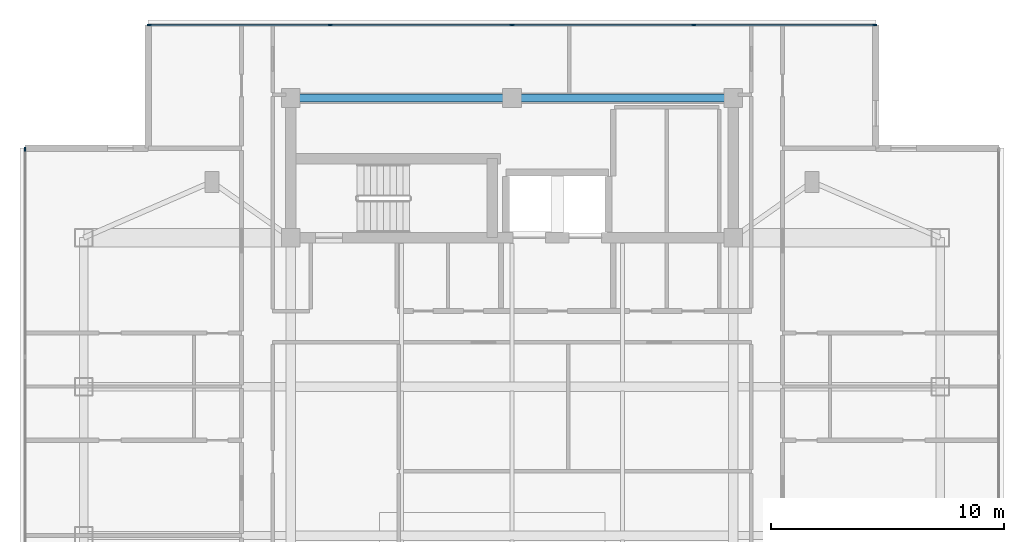
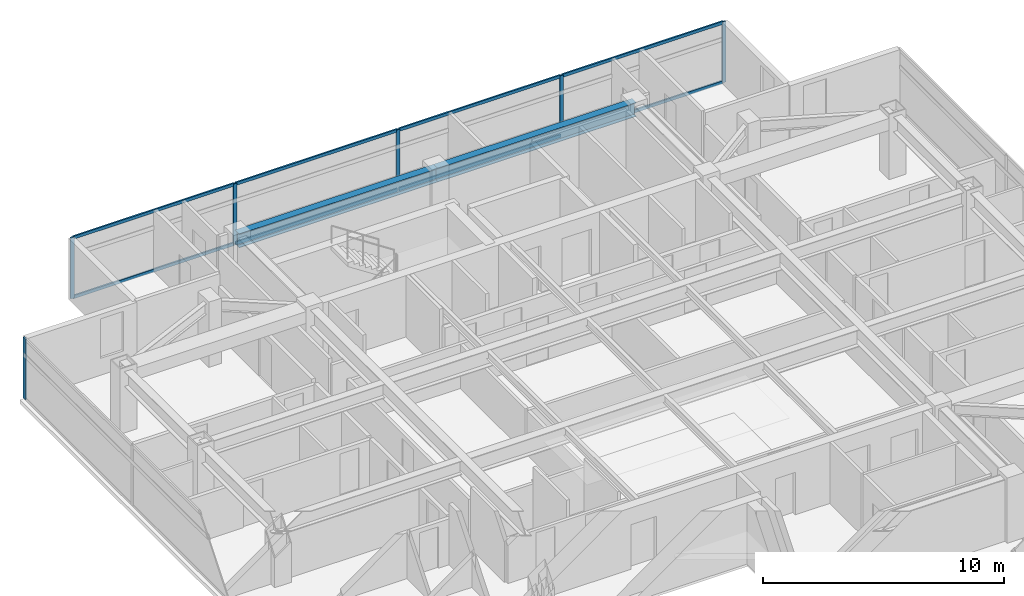
# One storey, part 5 of 15: 14 members, 2 beams, 2 elements without a shape of their own.
"""IFC4 building model written with IfcOpenShell, lengths in metres."""

import ifcopenshell
import ifcopenshell.guid

model = None  # the IFC model being written
_history = None  # IfcOwnerHistory: only IFC2X3 demands one
_inside = {}  # id of a spatial element -> (the spatial element, [elements in it])
_under = {}  # id of a project, library or spatial element -> (it, [spatial elements below it])
_declared = {}  # id of a project -> (the project, [libraries it declares])
_typed = {}  # id of a type object -> (the type object, [elements of that type])
_made_of = {}  # id of a material, layer set ... -> (it, [elements and type objects made of it])


def new_model(schema):
    """Start an empty IFC model of exactly this schema.

    Asked for "IFC4X3", IfcOpenShell would pick the latest addendum, in which some entities
    have other attributes; the version numbers below select the first issue.
    IFC2X3 requires an IfcOwnerHistory on every rooted entity: one is made here for all.
    """
    global model, _history
    if schema == "IFC4X3":
        model = ifcopenshell.file(schema_version=(4, 3, 0, 0))
    else:
        model = ifcopenshell.file(schema=schema)
    _inside.clear()
    _under.clear()
    _declared.clear()
    _typed.clear()
    _made_of.clear()
    _history = None
    if model.schema == "IFC2X3":
        org = make("IfcOrganization", Name="unknown")
        user = make(
            "IfcPersonAndOrganization",
            ThePerson=make("IfcPerson", FamilyName="unknown"),
            TheOrganization=org,
        )
        app = make(
            "IfcApplication",
            ApplicationDeveloper=org,
            Version="unknown",
            ApplicationFullName="unknown",
            ApplicationIdentifier="unknown",
        )
        _history = make(
            "IfcOwnerHistory",
            OwningUser=user,
            OwningApplication=app,
            ChangeAction="ADDED",
            CreationDate=0,
        )
    return model


def make(cls, **values):
    """One entity of the class cls with the attributes given. An attribute that is None is left unset."""
    return model.create_entity(
        cls, **{name: value for name, value in values.items() if value is not None}
    )


def rooted(cls, **values):
    """An entity with a GlobalId (a new one), such as an element, a storey or a relation."""
    return make(cls, GlobalId=ifcopenshell.guid.new(), OwnerHistory=_history, **values)


def si_unit(unit_type, name, prefix=None):
    """IfcSIUnit, for example si_unit("LENGTHUNIT", "METRE", prefix="MILLI")."""
    return make("IfcSIUnit", UnitType=unit_type, Prefix=prefix, Name=name)


def assignment(units):
    """IfcUnitAssignment: the units of a project."""
    return None if units is None else make("IfcUnitAssignment", Units=units)


def point(xyz):
    """IfcCartesianPoint."""
    return None if xyz is None else make("IfcCartesianPoint", Coordinates=xyz)


def direction(xyz):
    """IfcDirection."""
    return None if xyz is None else make("IfcDirection", DirectionRatios=xyz)


def frame(location, z_axis=None, x_axis=None):
    """IfcAxis2Placement3D, a coordinate frame: its origin and axes. An axis left out is left unset."""
    return make(
        "IfcAxis2Placement3D",
        Location=point(location),
        Axis=direction(z_axis),
        RefDirection=direction(x_axis),
    )


def frame_2d(location, x_axis=None):
    """IfcAxis2Placement2D, a coordinate frame in the plane: its origin and x axis."""
    return make(
        "IfcAxis2Placement2D", Location=point(location), RefDirection=direction(x_axis)
    )


def origin():
    """The frame at (0, 0, 0) with its axes left unset."""
    return frame((0.0, 0.0, 0.0))


def origin_2d():
    """The frame at (0, 0) in the plane with its x axis left unset."""
    return frame_2d((0.0, 0.0))


def place(relative_to, where):
    """IfcLocalPlacement: puts the frame where relative to a parent placement (None: the world)."""
    return make(
        "IfcLocalPlacement", PlacementRelTo=relative_to, RelativePlacement=where
    )


def context(
    kind, dimensions, precision=None, world=None, true_north=None, identifier=None
):
    """IfcGeometricRepresentationContext, for example the 3D "Model" context."""
    return make(
        "IfcGeometricRepresentationContext",
        ContextIdentifier=identifier,
        ContextType=kind,
        CoordinateSpaceDimension=dimensions,
        Precision=precision,
        WorldCoordinateSystem=world,
        TrueNorth=true_north,
    )


def subcontext(parent, identifier, kind, view, scale=None):
    """IfcGeometricRepresentationSubContext, for example "Body" below "Model"."""
    return make(
        "IfcGeometricRepresentationSubContext",
        ContextIdentifier=identifier,
        ContextType=kind,
        ParentContext=parent,
        TargetScale=scale,
        TargetView=view,
    )


def project(units=None, contexts=None):
    """IfcProject with its units and contexts."""
    return rooted(
        "IfcProject",
        Name="project",
        RepresentationContexts=contexts,
        UnitsInContext=assignment(units),
    )


def spatial(cls, under=None, at=None, **own):
    """A site, building, storey or space (cls), placed at a placement, below another one or the project."""
    s = rooted(cls, ObjectPlacement=at, **own)
    if under is not None:
        _under.setdefault(under.id(), (under, []))[1].append(s)
    return s


def profile(cls, at=None, kind="AREA", **sizes):
    """A parametric profile (cls). Its sizes go by their IFC names, for example OverallWidth=200.0."""
    return make(cls, ProfileType=kind, Position=at, **sizes)


def rectangle(**sizes):
    """IfcRectangleProfileDef."""
    return profile("IfcRectangleProfileDef", **sizes)


def i_section(**sizes):
    """IfcIShapeProfileDef."""
    return profile("IfcIShapeProfileDef", **sizes)


def extrude(swept, where, along, depth):
    """IfcExtrudedAreaSolid: the profile swept, set in the frame where, extruded along a direction by depth."""
    return make(
        "IfcExtrudedAreaSolid",
        SweptArea=swept,
        Position=where,
        ExtrudedDirection=direction(along),
        Depth=depth,
    )


def shape(context_of_items, identifier, shape_type, items):
    """IfcShapeRepresentation: the items that make up one representation, for example the "Body"."""
    return make(
        "IfcShapeRepresentation",
        ContextOfItems=context_of_items,
        RepresentationIdentifier=identifier,
        RepresentationType=shape_type,
        Items=items,
    )


def material(Name=None, Category=None):
    """IfcMaterial."""
    return make("IfcMaterial", Name=Name, Category=Category)


def material_profile(
    of_material, cross_section, Name=None, Category=None, Priority=None
):
    """IfcMaterialProfile: a cross section and its material."""
    return make(
        "IfcMaterialProfile",
        Name=Name,
        Material=of_material,
        Profile=cross_section,
        Priority=Priority,
        Category=Category,
    )


def profile_set(profiles, Name=None, composite=None):
    """IfcMaterialProfileSet."""
    return make(
        "IfcMaterialProfileSet",
        Name=Name,
        MaterialProfiles=profiles,
        CompositeProfile=composite,
    )


def made_of(thing, what):
    """Note that an element or type object is made of a material, layer set ...; save() writes the relation."""
    if what is not None:
        _made_of.setdefault(what.id(), (what, []))[1].append(thing)
    return thing


def type_object(cls, material=None, **own):
    """A type object (cls), such as IfcWallType, which elements share."""
    return made_of(rooted(cls, **own), material)


def element(
    cls,
    number,
    at=None,
    inside=None,
    cuts=None,
    type_object=None,
    material=None,
    context=None,
    identifier="Body",
    shape_type=None,
    held_by="IfcProductDefinitionShape",
    body=None,
    shapes=None,
    **own,
):
    """One element of the class cls, such as IfcWall. Its Tag is "e" and its number.

    at: its placement. inside: the storey or other place that contains it. cuts: it is an
    opening in that element (IfcRelVoidsElement). A single representation is given by context,
    identifier, shape_type and body (its items); several are given by shapes. held_by: the class
    of the entity that holds the representations. save() writes the other relations.
    """
    e = rooted(cls, Tag="e%d" % number, ObjectPlacement=at, **own)
    if body is not None:
        shapes = [shape(context, identifier, shape_type, body)]
    if shapes is not None:
        e.Representation = make(held_by, Representations=shapes)
    if inside is not None:
        _inside.setdefault(inside.id(), (inside, []))[1].append(e)
    if cuts is not None:
        rooted(
            "IfcRelVoidsElement", RelatingBuildingElement=cuts, RelatedOpeningElement=e
        )
    if type_object is not None:
        _typed.setdefault(type_object.id(), (type_object, []))[1].append(e)
    return made_of(e, material)


def aggregate(whole, parts):
    """IfcRelAggregates: a whole, such as a stair, and the parts it consists of."""
    return rooted("IfcRelAggregates", RelatingObject=whole, RelatedObjects=parts)


def save(model, path):
    """Write the relations noted so far, then the file.

    IfcRelAggregates (storeys below a building ...), IfcRelContainedInSpatialStructure (elements
    in a storey), IfcRelDefinesByType, IfcRelAssociatesMaterial and IfcRelDeclares: one each for
    every whole, place, type object, material and project.
    """
    for whole, parts in _under.values():
        aggregate(whole, parts)
    for where, things in _inside.values():
        rooted(
            "IfcRelContainedInSpatialStructure",
            RelatedElements=things,
            RelatingStructure=where,
        )
    for kind, things in _typed.values():
        rooted("IfcRelDefinesByType", RelatedObjects=things, RelatingType=kind)
    for what, things in _made_of.values():
        rooted("IfcRelAssociatesMaterial", RelatedObjects=things, RelatingMaterial=what)
    for by, libraries in _declared.values():
        rooted("IfcRelDeclares", RelatingContext=by, RelatedDefinitions=libraries)
    model.write(path)


model = new_model("IFC4")

# Units and contexts
model_context = context("Model", 3, precision=1e-05, world=origin(), true_north=direction((0.0, 1.0)))
body_context = subcontext(model_context, "Body", "Model", "MODEL_VIEW")
ifc_project = project(units=[si_unit("LENGTHUNIT", "METRE"), si_unit("AREAUNIT", "SQUARE_METRE"), si_unit("VOLUMEUNIT", "CUBIC_METRE"), si_unit("PLANEANGLEUNIT", "RADIAN"), si_unit("MASSUNIT", "GRAM", prefix="KILO")], contexts=[model_context])

# Site, building, storey
site_placement = place(None, origin())
site = spatial("IfcSite", under=ifc_project, at=site_placement, CompositionType="ELEMENT")
building_placement = place(site_placement, origin())
building = spatial("IfcBuilding", under=site, at=building_placement, Name="Mirazonda Arch Towers", CompositionType="ELEMENT")
storey_placement = place(building_placement, frame((0.0, 0.0, 229.300048828125)))
storey = spatial("IfcBuildingStorey", under=building, at=storey_placement, Name="L65", CompositionType="ELEMENT", Elevation=229.300048828125)

# Beams
ifc_material_1 = material(Name="Steel ASTM A992 Grade 50", Category="steel")
ifc_material_profile_1 = material_profile(ifc_material_1, i_section(OverallWidth=0.35498046875, OverallDepth=0.696044921875, WebThickness=0.015380859375, FlangeThickness=0.02490234375, at=origin_2d()), Name="W27X146")
ifc_profile_set_1 = profile_set([ifc_material_profile_1], Name="Steel ASTM A992 Grade 50")
beam_type = type_object("IfcBeamType", Name="BM-INT-W27X146", PredefinedType="BEAM", material=ifc_profile_set_1)
for number, where, z_axis, x_axis, name in (
    (1, (11.0, 43.60009765625, 2.751953125), (1.0, 0.0, 0.0), (0.0, 1.0, 0.0), "L65 Floor Beam BM-T1-L65-CN1"),
    (2, (20.5, 43.60009765625, 2.751953125), (1.0, 0.0, 0.0), (0.0, 1.0, 0.0), "L65 Floor Beam BM-T1-L65-CN2"),
):
    element("IfcBeam", number, at=place(storey_placement, frame(where, z_axis=z_axis, x_axis=x_axis)), inside=storey, type_object=beam_type, Name=name, PredefinedType="BEAM", context=body_context, shape_type="SweptSolid", body=[
        extrude(i_section(OverallWidth=0.35498046875, OverallDepth=0.696044921875, WebThickness=0.015380859375, FlangeThickness=0.02490234375, at=origin_2d()), origin(), (0.0, 0.0, 1.0), 9.5),
    ])

# Curtain wall, members
ifc_material_2 = material(Name="Anodised Aluminium and Low-E Glass", Category="aluminium")
curtain_wall_type = type_object("IfcCurtainWallType", Name="CW-RES-UNIT", PredefinedType="NOTDEFINED", material=ifc_material_2)
curtain_wall_1_placement = place(storey_placement, origin())
curtain_wall_1 = element("IfcCurtainWall", 3, at=curtain_wall_1_placement, inside=storey, type_object=curtain_wall_type, Name="L65 T1 N Facade CW-L65-T1-N", PredefinedType="NOTDEFINED")
ifc_material_3 = material(Name="Anodised Aluminium Alloy", Category="aluminium")
ifc_material_profile_2 = material_profile(ifc_material_3, rectangle(XDim=0.074951171875, YDim=0.175048828125, at=origin_2d()), Name="ALU-MULL-75x175")
ifc_profile_set_2 = profile_set([ifc_material_profile_2], Name="Anodised Aluminium Alloy")
member_type_1 = type_object("IfcMemberType", Name="MULL-CW-RES-UNIT", PredefinedType="MULLION", material=ifc_profile_set_2)
member_1_placement = place(storey_placement, frame((4.907470703125, 46.73388671875, 0.0), z_axis=(0.0, 0.0, 1.0), x_axis=(0.0, 1.0, 0.0)))
member_1 = element("IfcMember", 4, at=member_1_placement, type_object=member_type_1, Name="CW-104 mullion 1", PredefinedType="MULLION", context=body_context, shape_type="SweptSolid", body=[
    extrude(rectangle(XDim=0.074951171875, YDim=0.175048828125, at=origin_2d()), origin(), (0.0, 0.0, 1.0), 3.079833984375),
])
member_2_placement = place(storey_placement, frame((12.68505859375, 46.73388671875, 0.0), z_axis=(0.0, 0.0, 1.0), x_axis=(0.0, 1.0, 0.0)))
member_2 = element("IfcMember", 5, at=member_2_placement, type_object=member_type_1, Name="CW-104 mullion 2", PredefinedType="MULLION", context=body_context, shape_type="SweptSolid", body=[
    extrude(rectangle(XDim=0.074951171875, YDim=0.175048828125, at=origin_2d()), origin(), (0.0, 0.0, 1.0), 3.079833984375),
])
member_3_placement = place(storey_placement, frame((20.5, 46.73388671875, 0.0), z_axis=(0.0, 0.0, 1.0), x_axis=(0.0, 1.0, 0.0)))
member_3 = element("IfcMember", 6, at=member_3_placement, type_object=member_type_1, Name="CW-104 mullion 3", PredefinedType="MULLION", context=body_context, shape_type="SweptSolid", body=[
    extrude(rectangle(XDim=0.074951171875, YDim=0.175048828125, at=origin_2d()), origin(), (0.0, 0.0, 1.0), 3.079833984375),
])
member_4_placement = place(storey_placement, frame((28.31494140625, 46.73388671875, 0.0), z_axis=(0.0, 0.0, 1.0), x_axis=(0.0, 1.0, 0.0)))
member_4 = element("IfcMember", 7, at=member_4_placement, type_object=member_type_1, Name="CW-104 mullion 4", PredefinedType="MULLION", context=body_context, shape_type="SweptSolid", body=[
    extrude(rectangle(XDim=0.074951171875, YDim=0.175048828125, at=origin_2d()), origin(), (0.0, 0.0, 1.0), 3.079833984375),
])
member_5_placement = place(storey_placement, frame((36.092529296875, 46.73388671875, 0.0), z_axis=(0.0, 0.0, 1.0), x_axis=(0.0, 1.0, 0.0)))
member_5 = element("IfcMember", 8, at=member_5_placement, type_object=member_type_1, Name="CW-104 mullion 5", PredefinedType="MULLION", context=body_context, shape_type="SweptSolid", body=[
    extrude(rectangle(XDim=0.074951171875, YDim=0.175048828125, at=origin_2d()), origin(), (0.0, 0.0, 1.0), 3.079833984375),
])

# Curtain wall, member
curtain_wall_2_placement = place(storey_placement, origin())
curtain_wall_2 = element("IfcCurtainWall", 9, at=curtain_wall_2_placement, inside=storey, type_object=curtain_wall_type, Name="L65 T1 W Facade CW-L65-T1-W", PredefinedType="NOTDEFINED")
member_6_placement = place(storey_placement, frame((-0.419921875, 41.406494140625, 0.0), z_axis=(0.0, 0.0, 1.0), x_axis=(1.0, 0.0, 0.0)))
member_6 = element("IfcMember", 10, at=member_6_placement, type_object=member_type_1, Name="CW-104 mullion 1", PredefinedType="MULLION", context=body_context, shape_type="SweptSolid", body=[
    extrude(rectangle(XDim=0.074951171875, YDim=0.175048828125, at=origin_2d()), origin(), (0.0, 0.0, 1.0), 3.079833984375),
])
aggregate(curtain_wall_2, [member_6])

# Member
ifc_material_profile_3 = material_profile(ifc_material_3, rectangle(XDim=0.074951171875, YDim=0.155029296875, at=origin_2d()), Name="ALU-TRAN-75x155")
ifc_profile_set_3 = profile_set([ifc_material_profile_3], Name="Anodised Aluminium Alloy")
member_type_2 = type_object("IfcMemberType", Name="TRAN-CW-RES-UNIT", PredefinedType="USERDEFINED", material=ifc_profile_set_3)
member_7_placement = place(storey_placement, frame((4.945068359375, 46.73388671875, 0.037353515625), z_axis=(1.0, 0.0, 0.0), x_axis=(0.0, 1.0, 0.0)))
member_7 = element("IfcMember", 11, at=member_7_placement, type_object=member_type_2, Name="CW-104 transom 1.1", ObjectType="TRANSOM", PredefinedType="USERDEFINED", context=body_context, shape_type="SweptSolid", body=[
    extrude(rectangle(XDim=0.074951171875, YDim=0.155029296875, at=origin_2d()), origin(), (0.0, 0.0, 1.0), 7.702392578125),
])

member_8_placement = place(storey_placement, frame((4.945068359375, 46.73388671875, 3.04248046875), z_axis=(1.0, 0.0, 0.0), x_axis=(0.0, 1.0, 0.0)))
member_8 = element("IfcMember", 12, at=member_8_placement, type_object=member_type_2, Name="CW-104 transom 1.2", ObjectType="TRANSOM", PredefinedType="USERDEFINED", context=body_context, shape_type="SweptSolid", body=[
    extrude(rectangle(XDim=0.074951171875, YDim=0.155029296875, at=origin_2d()), origin(), (0.0, 0.0, 1.0), 7.702392578125),
])

member_9_placement = place(storey_placement, frame((12.722412109375, 46.73388671875, 0.037353515625), z_axis=(1.0, 0.0, 0.0), x_axis=(0.0, 1.0, 0.0)))
member_9 = element("IfcMember", 13, at=member_9_placement, type_object=member_type_2, Name="CW-104 transom 2.1", ObjectType="TRANSOM", PredefinedType="USERDEFINED", context=body_context, shape_type="SweptSolid", body=[
    extrude(rectangle(XDim=0.074951171875, YDim=0.155029296875, at=origin_2d()), origin(), (0.0, 0.0, 1.0), 7.739990234375),
])

member_10_placement = place(storey_placement, frame((12.722412109375, 46.73388671875, 3.04248046875), z_axis=(1.0, 0.0, 0.0), x_axis=(0.0, 1.0, 0.0)))
member_10 = element("IfcMember", 14, at=member_10_placement, type_object=member_type_2, Name="CW-104 transom 2.2", ObjectType="TRANSOM", PredefinedType="USERDEFINED", context=body_context, shape_type="SweptSolid", body=[
    extrude(rectangle(XDim=0.074951171875, YDim=0.155029296875, at=origin_2d()), origin(), (0.0, 0.0, 1.0), 7.739990234375),
])

member_11_placement = place(storey_placement, frame((20.53759765625, 46.73388671875, 0.037353515625), z_axis=(1.0, 0.0, 0.0), x_axis=(0.0, 1.0, 0.0)))
member_11 = element("IfcMember", 15, at=member_11_placement, type_object=member_type_2, Name="CW-104 transom 3.1", ObjectType="TRANSOM", PredefinedType="USERDEFINED", context=body_context, shape_type="SweptSolid", body=[
    extrude(rectangle(XDim=0.074951171875, YDim=0.155029296875, at=origin_2d()), origin(), (0.0, 0.0, 1.0), 7.739990234375),
])

member_12_placement = place(storey_placement, frame((20.53759765625, 46.73388671875, 3.04248046875), z_axis=(1.0, 0.0, 0.0), x_axis=(0.0, 1.0, 0.0)))
member_12 = element("IfcMember", 16, at=member_12_placement, type_object=member_type_2, Name="CW-104 transom 3.2", ObjectType="TRANSOM", PredefinedType="USERDEFINED", context=body_context, shape_type="SweptSolid", body=[
    extrude(rectangle(XDim=0.074951171875, YDim=0.155029296875, at=origin_2d()), origin(), (0.0, 0.0, 1.0), 7.739990234375),
])

member_13_placement = place(storey_placement, frame((28.3525390625, 46.73388671875, 0.037353515625), z_axis=(1.0, 0.0, 0.0), x_axis=(0.0, 1.0, 0.0)))
member_13 = element("IfcMember", 17, at=member_13_placement, type_object=member_type_2, Name="CW-104 transom 4.1", ObjectType="TRANSOM", PredefinedType="USERDEFINED", context=body_context, shape_type="SweptSolid", body=[
    extrude(rectangle(XDim=0.074951171875, YDim=0.155029296875, at=origin_2d()), origin(), (0.0, 0.0, 1.0), 7.702392578125),
])

member_14_placement = place(storey_placement, frame((28.3525390625, 46.73388671875, 3.04248046875), z_axis=(1.0, 0.0, 0.0), x_axis=(0.0, 1.0, 0.0)))
member_14 = element("IfcMember", 18, at=member_14_placement, type_object=member_type_2, Name="CW-104 transom 4.2", ObjectType="TRANSOM", PredefinedType="USERDEFINED", context=body_context, shape_type="SweptSolid", body=[
    extrude(rectangle(XDim=0.074951171875, YDim=0.155029296875, at=origin_2d()), origin(), (0.0, 0.0, 1.0), 7.702392578125),
])

aggregate(curtain_wall_1, [member_1, member_2, member_3, member_4, member_5, member_7, member_8, member_9, member_10, member_11, member_12, member_13, member_14])

save(model, "model.ifc")
